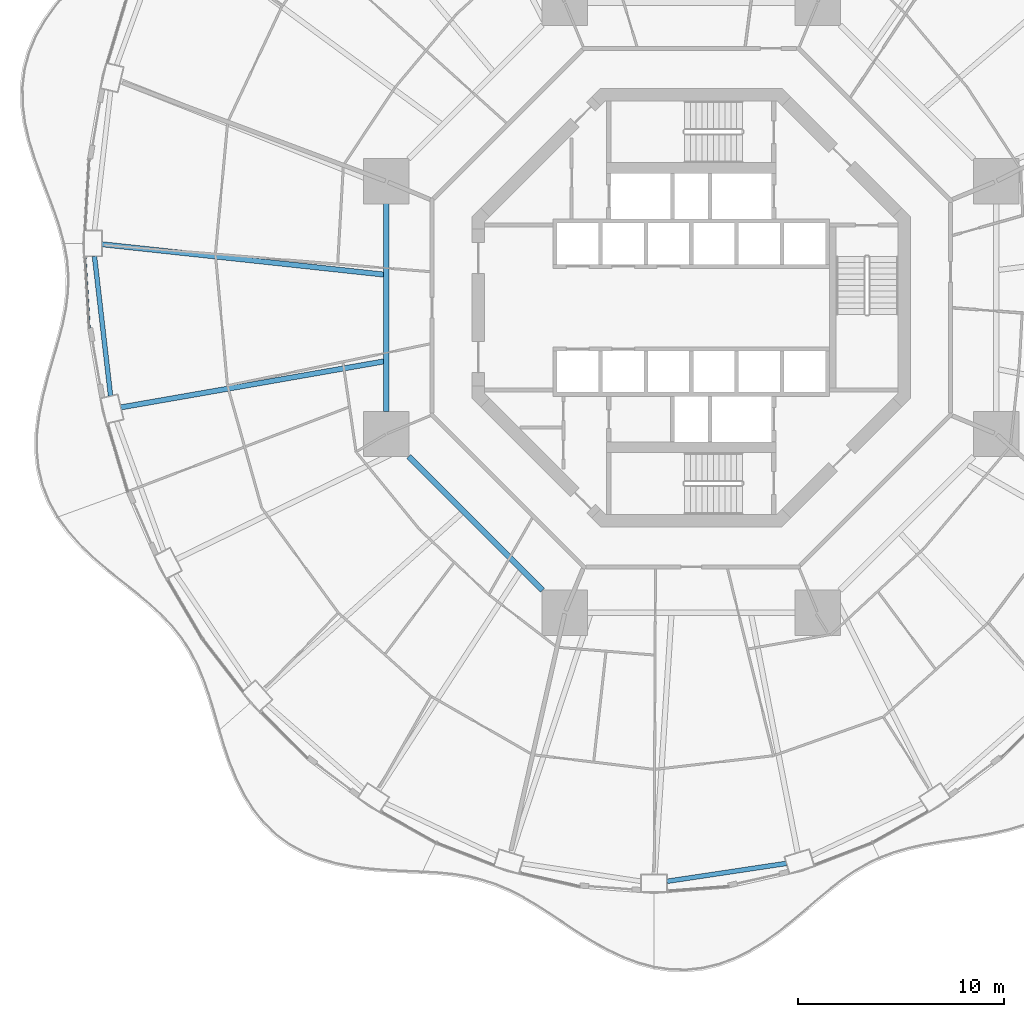
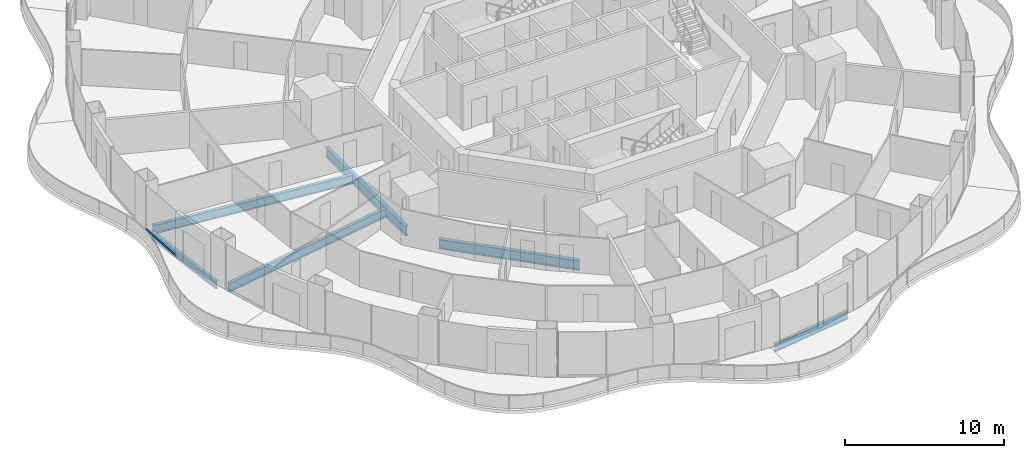
# One storey, part 4 of 22: 6 beams, 1 member, 1 element without a shape of its own.
"""IFC4 building model written with IfcOpenShell, lengths in metres."""

from ifc_helpers import new_model, si_unit, direction, frame, origin, origin_2d, place, context, subcontext, project, spatial, rectangle, i_section, extrude, material, layer, layer_set, material_profile, profile_set, type_object, element, aggregate, save


model = new_model("IFC4")

# Units and contexts
model_context = context("Model", 3, precision=1e-05, world=origin(), true_north=direction((0.0, 1.0)))
body_context = subcontext(model_context, "Body", "Model", "MODEL_VIEW")
ifc_project = project(units=[si_unit("LENGTHUNIT", "METRE"), si_unit("AREAUNIT", "SQUARE_METRE"), si_unit("VOLUMEUNIT", "CUBIC_METRE"), si_unit("PLANEANGLEUNIT", "RADIAN"), si_unit("MASSUNIT", "GRAM", prefix="KILO")], contexts=[model_context])

# Site, building, storey
site_placement = place(None, origin())
site = spatial("IfcSite", under=ifc_project, at=site_placement, CompositionType="ELEMENT")
building_placement = place(site_placement, origin())
building = spatial("IfcBuilding", under=site, at=building_placement, Name="Nagisa Residences", CompositionType="ELEMENT")
storey_placement = place(building_placement, frame((0.0, 0.0, 80.699951171875)))
storey = spatial("IfcBuildingStorey", under=building, at=storey_placement, Name="L19", CompositionType="ELEMENT", Elevation=80.699951171875)

# Curtain wall, member
ifc_material_1 = material(Name="Concrete-coloured aluminium curtain wall system", Category="concrete")
ifc_layer = layer(ifc_material_1, 0.159912109375)
ifc_layer_set = layer_set([ifc_layer], Name="CW1 CURTAIN WALL")
curtain_wall_type = type_object("IfcCurtainWallType", Name="CW1 CURTAIN WALL", PredefinedType="NOTDEFINED", material=ifc_layer_set)
curtain_wall_placement = place(storey_placement, origin())
curtain_wall = element("IfcCurtainWall", 1, at=curtain_wall_placement, inside=storey, type_object=curtain_wall_type, Name="cw:CW1:L19:24", PredefinedType="NOTDEFINED")
ifc_material_2 = material(Name="Concrete-coloured aluminium", Category="concrete")
ifc_material_profile_1 = material_profile(ifc_material_2, rectangle(XDim=0.1201171875, YDim=0.14990234375, at=origin_2d()), Name="CW1 TRANSOM 120x150")
ifc_profile_set_1 = profile_set([ifc_material_profile_1], Name="Concrete-coloured aluminium")
member_type = type_object("IfcMemberType", Name="CW1 TRANSOM 120x150", PredefinedType="USERDEFINED", material=ifc_profile_set_1)
member_placement = place(storey_placement, frame((-29.377685546875, 2.473388671875, 0.074951171875), z_axis=(0.057476526179, -0.99834685803, 0.0), x_axis=(0.99834685803, 0.057476526179, 0.0)))
member = element("IfcMember", 2, at=member_placement, type_object=member_type, Name="CW1 transom", ObjectType="TRANSOM", PredefinedType="USERDEFINED", context=body_context, shape_type="SweptSolid", body=[
    extrude(rectangle(XDim=0.1201171875, YDim=0.14990234375, at=origin_2d()), origin(), (0.0, 0.0, 1.0), 3.47021484375),
])
aggregate(curtain_wall, [member])

# Beams
ifc_material_3 = material(Name="Steel ASTM A572 Gr 50", Category="steel")
ifc_material_profile_2 = material_profile(ifc_material_3, i_section(OverallWidth=0.264892578125, OverallDepth=0.7529296875, WebThickness=0.01318359375, FlangeThickness=0.01708984375, at=origin_2d()), Name="W760x147")
ifc_profile_set_2 = profile_set([ifc_material_profile_2], Name="Steel ASTM A572 Gr 50")
beam_type_1 = type_object("IfcBeamType", Name="Inner ring beam W760x147", PredefinedType="BEAM", material=ifc_profile_set_2)
beam_1_placement = place(storey_placement, frame((-14.781982421875, 5.04296875, -0.636474609375), z_axis=(0.0, -1.0, 0.0), x_axis=(1.0, 0.0, 0.0)))
element("IfcBeam", 3, at=beam_1_placement, inside=storey, type_object=beam_type_1, Name="beam:L19:ib4", PredefinedType="BEAM", context=body_context, shape_type="SweptSolid", body=[
    extrude(i_section(OverallWidth=0.264892578125, OverallDepth=0.7529296875, WebThickness=0.01318359375, FlangeThickness=0.01708984375, at=origin_2d()), origin(), (0.0, 0.0, 1.0), 10.0859375),
])
beam_2_placement = place(storey_placement, frame((-13.6962890625, -7.208740234375, -0.636474609375), z_axis=(0.707106781187, -0.707106781187, 0.0), x_axis=(0.707106781187, 0.707106781187, 0.0)))
element("IfcBeam", 4, at=beam_2_placement, inside=storey, type_object=beam_type_1, Name="beam:L19:ib5", PredefinedType="BEAM", context=body_context, shape_type="SweptSolid", body=[
    extrude(i_section(OverallWidth=0.264892578125, OverallDepth=0.7529296875, WebThickness=0.01318359375, FlangeThickness=0.01708984375, at=origin_2d()), origin(), (0.0, 0.0, 1.0), 9.1748046875),
])
ifc_material_4 = material(Name="Steel ASTM A572 Gr 50", Category="steel")
ifc_material_profile_3 = material_profile(ifc_material_4, i_section(OverallWidth=0.22802734375, OverallDepth=0.60302734375, WebThickness=0.010498046875, FlangeThickness=0.014892578125, at=origin_2d()), Name="W610x101")
ifc_profile_set_3 = profile_set([ifc_material_profile_3], Name="Steel ASTM A572 Gr 50")
beam_type_2 = type_object("IfcBeamType", Name="Perimeter ring beam W610x101", PredefinedType="BEAM", material=ifc_profile_set_3)
beam_3_placement = place(storey_placement, frame((-28.92236328125, 2.487548828125, -0.5615234375), z_axis=(0.114690766503, -0.993401242237, 0.0), x_axis=(0.993401242237, 0.114690766503, 0.0)))
element("IfcBeam", 5, at=beam_3_placement, inside=storey, type_object=beam_type_2, Name="beam:L19:pb13", PredefinedType="BEAM", context=body_context, shape_type="SweptSolid", body=[
    extrude(i_section(OverallWidth=0.22802734375, OverallDepth=0.60302734375, WebThickness=0.010498046875, FlangeThickness=0.014892578125, at=origin_2d()), origin(), (0.0, 0.0, 1.0), 6.811767578125),
])
beam_4_placement = place(storey_placement, frame((-1.169677734375, -27.802734375, -0.5615234375), z_axis=(0.988913048607, 0.148495731568, 0.0), x_axis=(-0.148495731568, 0.988913048607, 0.0)))
element("IfcBeam", 6, at=beam_4_placement, inside=storey, type_object=beam_type_2, Name="beam:L19:pb19", PredefinedType="BEAM", context=body_context, shape_type="SweptSolid", body=[
    extrude(i_section(OverallWidth=0.22802734375, OverallDepth=0.60302734375, WebThickness=0.010498046875, FlangeThickness=0.014892578125, at=origin_2d()), origin(), (0.0, 0.0, 1.0), 5.843017578125),
])
ifc_material_5 = material(Name="Steel ASTM A572 Gr 50", Category="steel")
ifc_material_profile_4 = material_profile(ifc_material_5, i_section(OverallWidth=0.2529296875, OverallDepth=0.677978515625, WebThickness=0.01171875, FlangeThickness=0.016357421875, at=origin_2d()), Name="W690x125")
ifc_profile_set_4 = profile_set([ifc_material_profile_4], Name="Steel ASTM A572 Gr 50")
beam_type_3 = type_object("IfcBeamType", Name="Radial beam W690x125", PredefinedType="BEAM", material=ifc_profile_set_4)
beam_5_placement = place(storey_placement, frame((-28.56494140625, 3.071533203125, -0.598876953125), z_axis=(0.99426817007, -0.10691494744, 0.0), x_axis=(0.10691494744, 0.99426817007, 0.0)))
element("IfcBeam", 7, at=beam_5_placement, inside=storey, type_object=beam_type_3, Name="beam:L19:rb13", PredefinedType="BEAM", context=body_context, shape_type="SweptSolid", body=[
    extrude(i_section(OverallWidth=0.2529296875, OverallDepth=0.677978515625, WebThickness=0.01171875, FlangeThickness=0.016357421875, at=origin_2d()), origin(), (0.0, 0.0, 1.0), 13.7490234375),
])
beam_6_placement = place(storey_placement, frame((-27.64404296875, -4.83544921875, -0.598876953125), z_axis=(0.985042235616, 0.172313069883, 0.0), x_axis=(-0.172313069883, 0.985042235616, 0.0)))
element("IfcBeam", 8, at=beam_6_placement, inside=storey, type_object=beam_type_3, Name="beam:L19:rb14", PredefinedType="BEAM", context=body_context, shape_type="SweptSolid", body=[
    extrude(i_section(OverallWidth=0.2529296875, OverallDepth=0.677978515625, WebThickness=0.01171875, FlangeThickness=0.016357421875, at=origin_2d()), origin(), (0.0, 0.0, 1.0), 12.94287109375),
])

save(model, "model.ifc")
